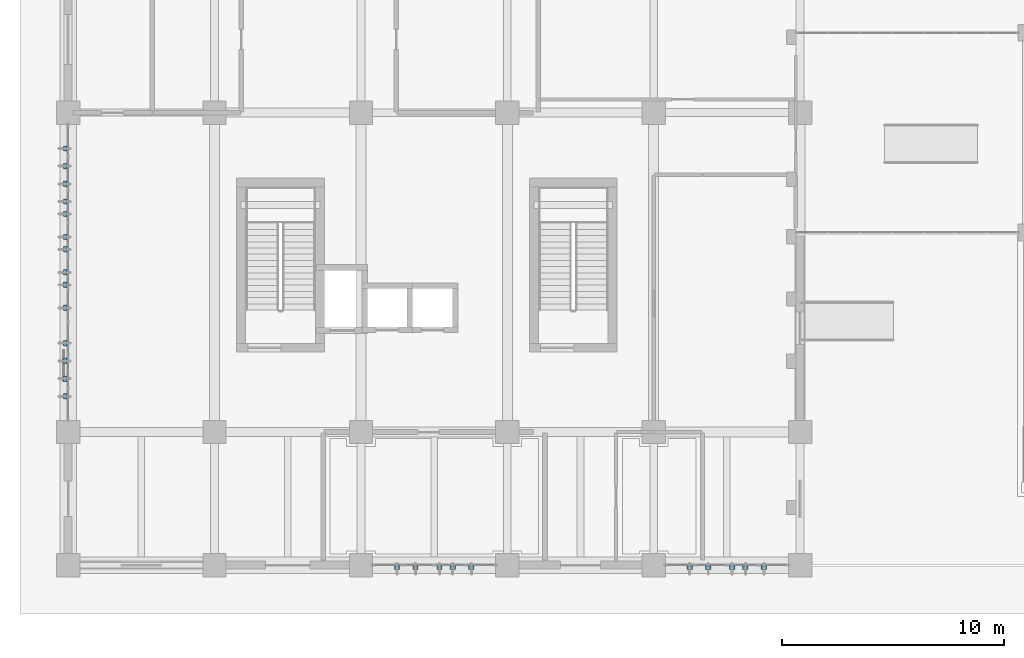
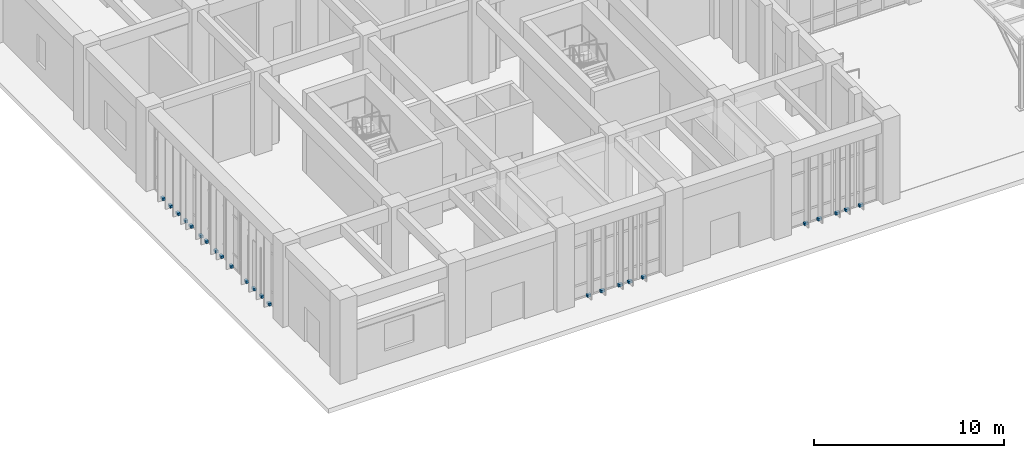
# One storey, part 60 of 70: 24 discrete accessories.
"""IFC4 building model written with IfcOpenShell, lengths in metres."""

from ifc_helpers import new_model, si_unit, direction, frame, origin, origin_2d, place, context, subcontext, project, spatial, rectangle, extrude, material, type_object, element, save


model = new_model("IFC4")

# Units and contexts
model_context = context("Model", 3, precision=1e-05, world=origin(), true_north=direction((0.0, 1.0)))
body_context = subcontext(model_context, "Body", "Model", "MODEL_VIEW")
ifc_project = project(units=[si_unit("LENGTHUNIT", "METRE"), si_unit("AREAUNIT", "SQUARE_METRE"), si_unit("VOLUMEUNIT", "CUBIC_METRE"), si_unit("PLANEANGLEUNIT", "RADIAN"), si_unit("MASSUNIT", "GRAM", prefix="KILO")], contexts=[model_context])

# Site, building, storey
site_placement = place(None, origin())
site = spatial("IfcSite", under=ifc_project, at=site_placement, CompositionType="ELEMENT")
building_placement = place(site_placement, origin())
building = spatial("IfcBuilding", under=site, at=building_placement, Name="Miralva Faculty of Natural Sciences", CompositionType="ELEMENT")
storey_placement = place(building_placement, origin())
storey = spatial("IfcBuildingStorey", under=building, at=storey_placement, Name="L00", CompositionType="ELEMENT", Elevation=0.0)

# Discrete accessories
ifc_material = material(Name="Steel S355", Category="steel")
discrete_accessory_type = type_object("IfcDiscreteAccessoryType", Name="ACC-BRK01", PredefinedType="BRACKET", material=ifc_material)
for number, where, z_axis, x_axis, name in (
    (1, (17.823974609375, 2.8798828125, 0.0400390625), (0.0, 0.0, 1.0), (0.0, -1.0, 0.0), "Solar fin bracket L00-165"),
    (2, (18.662109375, 2.8798828125, 0.0400390625), (0.0, 0.0, 1.0), (0.0, -1.0, 0.0), "Solar fin bracket L00-166"),
    (3, (19.739990234375, 2.8798828125, 0.0400390625), (0.0, 0.0, 1.0), (0.0, -1.0, 0.0), "Solar fin bracket L00-167"),
    (4, (20.337890625, 2.8798828125, 0.0400390625), (0.0, 0.0, 1.0), (0.0, -1.0, 0.0), "Solar fin bracket L00-168"),
    (5, (21.176025390625, 2.8798828125, 0.0400390625), (0.0, 0.0, 1.0), (0.0, -1.0, 0.0), "Solar fin bracket L00-169"),
    (6, (31.02294921875, 2.8798828125, 0.0400390625), (0.0, 0.0, 1.0), (0.0, -1.0, 0.0), "Solar fin bracket L00-170"),
    (7, (31.85888671875, 2.8798828125, 0.0400390625), (0.0, 0.0, 1.0), (0.0, -1.0, 0.0), "Solar fin bracket L00-171"),
    (8, (32.93505859375, 2.8798828125, 0.0400390625), (0.0, 0.0, 1.0), (0.0, -1.0, 0.0), "Solar fin bracket L00-172"),
    (9, (33.531005859375, 2.8798828125, 0.0400390625), (0.0, 0.0, 1.0), (0.0, -1.0, 0.0), "Solar fin bracket L00-173"),
    (10, (34.366943359375, 2.8798828125, 0.0400390625), (0.0, 0.0, 1.0), (0.0, -1.0, 0.0), "Solar fin bracket L00-174"),
    (11, (2.8798828125, 10.614013671875, 0.0400390625), (0.0, 0.0, 1.0), (-1.0, 0.0, 0.0), "Solar fin bracket L00-175"),
    (12, (2.8798828125, 11.412109375, 0.0400390625), (0.0, 0.0, 1.0), (-1.0, 0.0, 0.0), "Solar fin bracket L00-176"),
    (13, (2.8798828125, 12.2099609375, 0.0400390625), (0.0, 0.0, 1.0), (-1.0, 0.0, 0.0), "Solar fin bracket L00-177"),
    (14, (2.8798828125, 13.008056640625, 0.0400390625), (0.0, 0.0, 1.0), (-1.0, 0.0, 0.0), "Solar fin bracket L00-178"),
    (15, (2.8798828125, 14.60400390625, 0.0400390625), (0.0, 0.0, 1.0), (-1.0, 0.0, 0.0), "Solar fin bracket L00-179"),
    (16, (2.8798828125, 15.64208984375, 0.0400390625), (0.0, 0.0, 1.0), (-1.0, 0.0, 0.0), "Solar fin bracket L00-180"),
    (17, (2.8798828125, 16.199951171875, 0.0400390625), (0.0, 0.0, 1.0), (-1.0, 0.0, 0.0), "Solar fin bracket L00-181"),
    (18, (2.8798828125, 17.238037109375, 0.0400390625), (0.0, 0.0, 1.0), (-1.0, 0.0, 0.0), "Solar fin bracket L00-182"),
    (19, (2.8798828125, 17.7958984375, 0.0400390625), (0.0, 0.0, 1.0), (-1.0, 0.0, 0.0), "Solar fin bracket L00-183"),
    (20, (2.8798828125, 18.833984375, 0.0400390625), (0.0, 0.0, 1.0), (-1.0, 0.0, 0.0), "Solar fin bracket L00-184"),
    (21, (2.8798828125, 19.39208984375, 0.0400390625), (0.0, 0.0, 1.0), (-1.0, 0.0, 0.0), "Solar fin bracket L00-185"),
    (22, (2.8798828125, 20.18994140625, 0.0400390625), (0.0, 0.0, 1.0), (-1.0, 0.0, 0.0), "Solar fin bracket L00-186"),
    (23, (2.8798828125, 20.988037109375, 0.0400390625), (0.0, 0.0, 1.0), (-1.0, 0.0, 0.0), "Solar fin bracket L00-187"),
    (24, (2.8798828125, 21.785888671875, 0.0400390625), (0.0, 0.0, 1.0), (-1.0, 0.0, 0.0), "Solar fin bracket L00-188"),
):
    element("IfcDiscreteAccessory", number, at=place(storey_placement, frame(where, z_axis=z_axis, x_axis=x_axis)), inside=storey, type_object=discrete_accessory_type, Name=name, PredefinedType="BRACKET", context=body_context, shape_type="SweptSolid", body=[
        extrude(rectangle(XDim=0.159912109375, YDim=0.239990234375, at=origin_2d()), origin(), (0.0, 0.0, 1.0), 0.159912109375),
    ])

save(model, "model.ifc")
